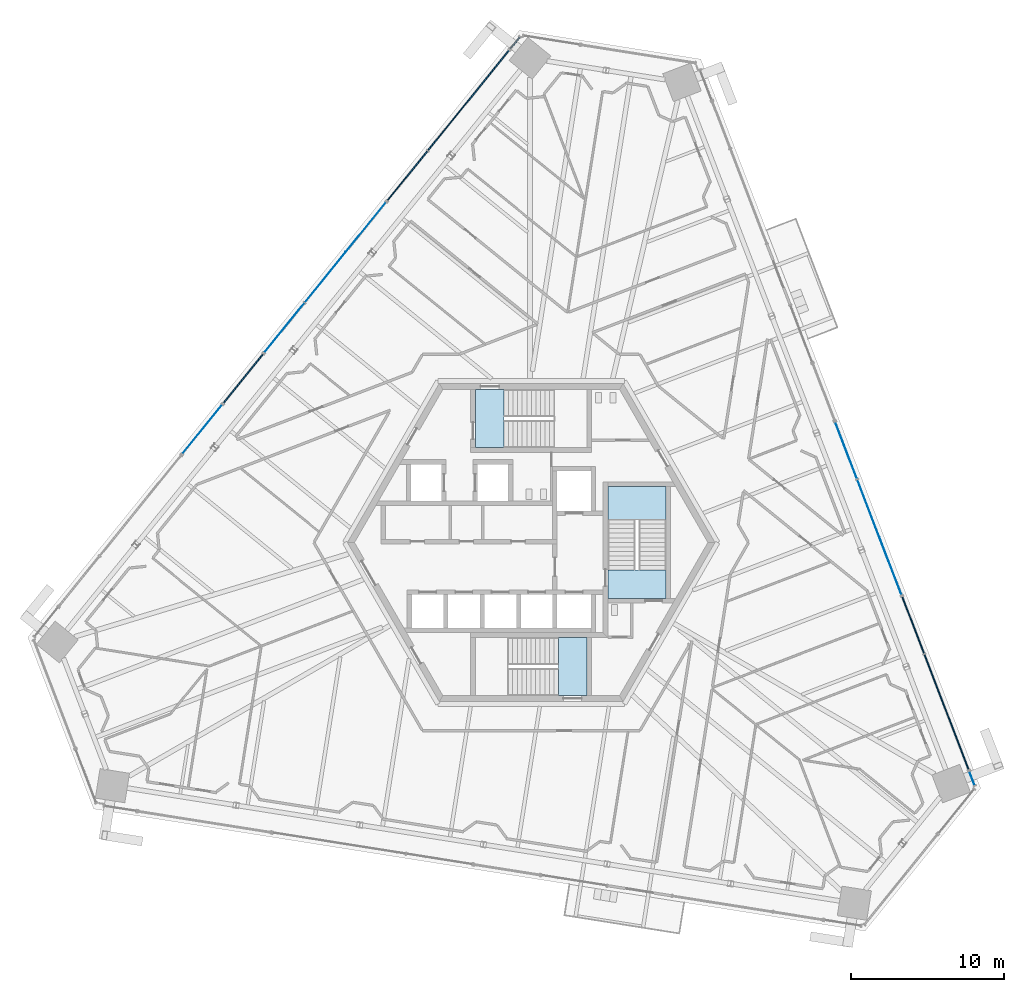
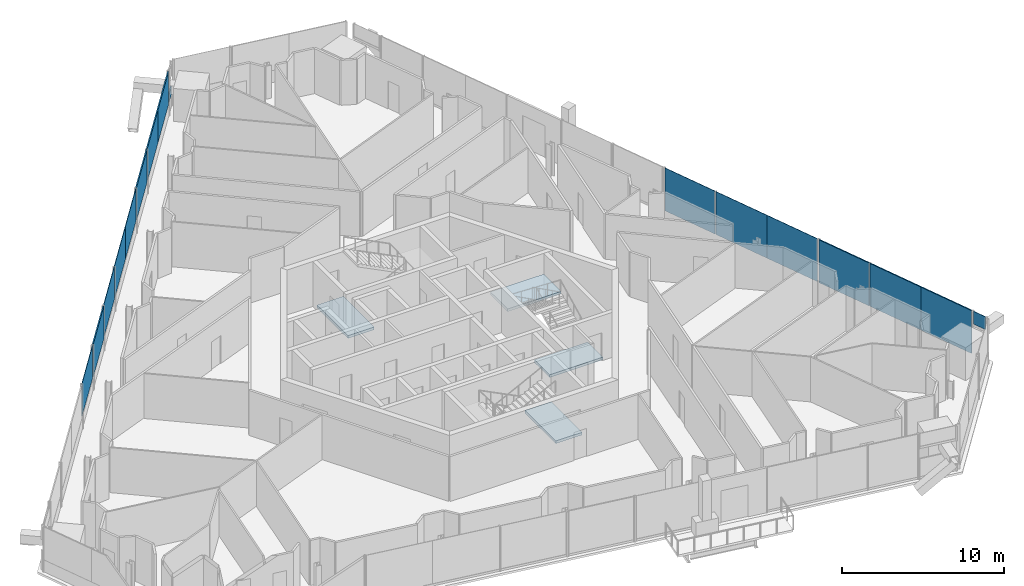
# One storey, part 11 of 23: 16 plates, 4 slabs, 11 elements without a shape of their own.
"""IFC4 building model written with IfcOpenShell, lengths in metres."""

from ifc_helpers import new_model, si_unit, direction, frame, origin, origin_2d, place, context, subcontext, project, spatial, polyline, rectangle, outline, extrude, source, transform, mapped, material, layer, layer_set, type_object, element, aggregate, save


model = new_model("IFC4")

# Units and contexts
model_context = context("Model", 3, precision=1e-05, world=origin(), true_north=direction((0.0, 1.0)))
body_context = subcontext(model_context, "Body", "Model", "MODEL_VIEW")
ifc_project = project(units=[si_unit("LENGTHUNIT", "METRE"), si_unit("AREAUNIT", "SQUARE_METRE"), si_unit("VOLUMEUNIT", "CUBIC_METRE"), si_unit("PLANEANGLEUNIT", "RADIAN"), si_unit("MASSUNIT", "GRAM", prefix="KILO")], contexts=[model_context])

# Site, building, storey
site_placement = place(None, origin())
site = spatial("IfcSite", under=ifc_project, at=site_placement, CompositionType="ELEMENT")
building_placement = place(site_placement, origin())
building = spatial("IfcBuilding", under=site, at=building_placement, Name="Triune Harvest Tower", CompositionType="ELEMENT")
storey_placement = place(building_placement, frame((0.0, 0.0, 171.300048828125)))
storey = spatial("IfcBuildingStorey", under=building, at=storey_placement, Name="L44", CompositionType="ELEMENT", Elevation=171.300048828125)

# Curtain wall, plates
ifc_material_1 = material(Name="Aluminium bronze anodised", Category="aluminium")
curtain_wall_type_1 = type_object("IfcCurtainWallType", Name="CW-1 Tower stick curtain wall", PredefinedType="NOTDEFINED", material=ifc_material_1)
curtain_wall_1_placement = place(storey_placement, origin())
curtain_wall_1 = element("IfcCurtainWall", 1, at=curtain_wall_1_placement, inside=storey, type_object=curtain_wall_type_1, Name="CW-1 B4-F3 L44 run 1201")
ifc_material_2 = material(Name="Glass", Category="glass")
ifc_layer_1 = layer(ifc_material_2, 0.031982421875)
ifc_layer_set_1 = layer_set([ifc_layer_1], Name="Glass")
plate_type_1 = type_object("IfcPlateType", Name="GL-1 panel 32", PredefinedType="CURTAIN_PANEL", material=ifc_layer_set_1)
plate_1_placement = place(storey_placement, frame((-10.798828125, 20.591064453125, 0.89990234375), z_axis=(0.0, 0.0, 1.0), x_axis=(-0.629323938413, -0.777143088845, 0.0)))
plate_1 = element("IfcPlate", 2, at=plate_1_placement, type_object=plate_type_1, Name="CW-1 panel B4-F3 1201.1", PredefinedType="CURTAIN_PANEL", context=body_context, shape_type="SweptSolid", body=[
    extrude(rectangle(XDim=4.18115234375, YDim=0.031982421875, at=origin_2d()), origin(), (0.0, 0.0, 1.0), 2.47509765625),
])
plate_2_placement = place(storey_placement, frame((-13.44189453125, 17.3271484375, 0.89990234375), z_axis=(0.0, 0.0, 1.0), x_axis=(-0.629323938413, -0.777143088845, 0.0)))
plate_2 = element("IfcPlate", 3, at=plate_2_placement, type_object=plate_type_1, Name="CW-1 panel B4-F3 1201.2", PredefinedType="CURTAIN_PANEL", context=body_context, shape_type="SweptSolid", body=[
    extrude(rectangle(XDim=4.218505859375, YDim=0.031982421875, at=origin_2d()), origin(), (0.0, 0.0, 1.0), 2.47509765625),
])
plate_3_placement = place(storey_placement, frame((-16.120361328125, 14.01953125, 0.89990234375), z_axis=(0.0, 0.0, 1.0), x_axis=(-0.629323938413, -0.777143088845, 0.0)))
plate_3 = element("IfcPlate", 4, at=plate_3_placement, type_object=plate_type_1, Name="CW-1 panel B4-F3 1201.3", PredefinedType="CURTAIN_PANEL", context=body_context, shape_type="SweptSolid", body=[
    extrude(rectangle(XDim=4.1435546875, YDim=0.031982421875, at=origin_2d()), origin(), (0.0, 0.0, 1.0), 2.47509765625),
])
aggregate(curtain_wall_1, [plate_1, plate_2, plate_3])

# Curtain wall, plate
curtain_wall_2_placement = place(storey_placement, origin())
curtain_wall_2 = element("IfcCurtainWall", 5, at=curtain_wall_2_placement, inside=storey, type_object=curtain_wall_type_1, Name="CW-1 B4-F3 L44 run 3201")
plate_4_placement = place(storey_placement, frame((-21.4892578125, 7.3896484375, 0.89990234375), z_axis=(0.0, 0.0, 1.0), x_axis=(-0.629328668459, -0.77713925847, 0.0)))
plate_4 = element("IfcPlate", 6, at=plate_4_placement, type_object=plate_type_1, Name="CW-1 panel B4-F3 3201.1", PredefinedType="CURTAIN_PANEL", context=body_context, shape_type="SweptSolid", body=[
    extrude(rectangle(XDim=4.106201171875, YDim=0.031982421875, at=origin_2d()), origin(), (0.0, 0.0, 1.0), 2.47509765625),
])
aggregate(curtain_wall_2, [plate_4])

ifc_material_3 = material(Name="Aluminium bronze anodised", Category="aluminium")
curtain_wall_type_2 = type_object("IfcCurtainWallType", Name="CW-6 Balcony window wall", PredefinedType="NOTDEFINED", material=ifc_material_3)
curtain_wall_3_placement = place(storey_placement, origin())
curtain_wall_3 = element("IfcCurtainWall", 7, at=curtain_wall_3_placement, inside=storey, type_object=curtain_wall_type_2, Name="CW-6 B4-F1 L44 run 101")
ifc_material_4 = material(Name="Glass", Category="glass")
ifc_layer_2 = layer(ifc_material_4, 0.030029296875)
ifc_layer_set_2 = layer_set([ifc_layer_2], Name="Glass")
plate_type_2 = type_object("IfcPlateType", Name="GL-6 panel 30", PredefinedType="CURTAIN_PANEL", material=ifc_layer_set_2)
plate_5_placement = place(storey_placement, frame((28.780029296875, -15.397216796875, 2.40966796875), z_axis=(0.0, 0.0, 1.0), x_axis=(-0.358306943376, 0.933603842285, 0.0)))
plate_5 = element("IfcPlate", 8, at=plate_5_placement, type_object=plate_type_2, Name="CW-6 panel B4-F1 101.1", PredefinedType="CURTAIN_PANEL", context=body_context, shape_type="SweptSolid", body=[
    extrude(rectangle(XDim=0.94677734375, YDim=0.030029296875, at=origin_2d()), origin(), (0.0, 0.0, 1.0), 0.965087890625),
])
aggregate(curtain_wall_3, [plate_5])

# Curtain wall, plates
curtain_wall_4_placement = place(storey_placement, origin())
curtain_wall_4 = element("IfcCurtainWall", 9, at=curtain_wall_4_placement, inside=storey, type_object=curtain_wall_type_2, Name="CW-6 B4-F1 L44 run 1201")
plate_6_placement = place(storey_placement, frame((23.461669921875, -1.542236328125, 0.14990234375), z_axis=(0.0, 0.0, 1.0), x_axis=(-0.358370783259, 0.933579338732, 0.0)))
plate_6 = element("IfcPlate", 10, at=plate_6_placement, type_object=plate_type_2, Name="CW-6 panel B4-F1 1201.1", PredefinedType="CURTAIN_PANEL", context=body_context, shape_type="SweptSolid", body=[
    extrude(rectangle(XDim=3.997802734375, YDim=0.030029296875, at=origin_2d()), origin(), (0.0, 0.0, 1.0), 3.22509765625),
])
plate_7_placement = place(storey_placement, frame((22.022216796875, 2.20751953125, 0.14990234375), z_axis=(0.0, 0.0, 1.0), x_axis=(-0.358370783259, 0.933579338732, 0.0)))
plate_7 = element("IfcPlate", 11, at=plate_7_placement, type_object=plate_type_2, Name="CW-6 panel B4-F1 1201.2", PredefinedType="CURTAIN_PANEL", context=body_context, shape_type="SweptSolid", body=[
    extrude(rectangle(XDim=4.035400390625, YDim=0.030029296875, at=origin_2d()), origin(), (0.0, 0.0, 1.0), 3.22509765625),
])
plate_8_placement = place(storey_placement, frame((20.562744140625, 6.009765625, 0.14990234375), z_axis=(0.0, 0.0, 1.0), x_axis=(-0.358370783259, 0.933579338732, 0.0)))
plate_8 = element("IfcPlate", 12, at=plate_8_placement, type_object=plate_type_2, Name="CW-6 panel B4-F1 1201.3", PredefinedType="CURTAIN_PANEL", context=body_context, shape_type="SweptSolid", body=[
    extrude(rectangle(XDim=3.960205078125, YDim=0.030029296875, at=origin_2d()), origin(), (0.0, 0.0, 1.0), 3.22509765625),
])
aggregate(curtain_wall_4, [plate_6, plate_7, plate_8])

ifc_material_5 = material(Name="Aluminium bronze anodised", Category="aluminium")
curtain_wall_type_3 = type_object("IfcCurtainWallType", Name="CW-10 Balcony window wall with insulated spandrel infill", PredefinedType="NOTDEFINED", material=ifc_material_5)
curtain_wall_5_placement = place(storey_placement, origin())
curtain_wall_5 = element("IfcCurtainWall", 13, at=curtain_wall_5_placement, inside=storey, type_object=curtain_wall_type_3, Name="CW-10 B4-F1 L44 run 201")
ifc_material_6 = material(Name="Insulated spandrel panel, bronze aluminium pan", Category="aluminium")
ifc_layer_3 = layer(ifc_material_6, 0.080078125)
ifc_layer_set_3 = layer_set([ifc_layer_3], Name="Insulated spandrel panel, bronze aluminium pan")
plate_type_3 = type_object("IfcPlateType", Name="SP-1 insulated spandrel panel 80", PredefinedType="CURTAIN_PANEL", material=ifc_layer_set_3)
plate_9_placement = place(storey_placement, frame((27.84033203125, -12.948974609375, 0.14990234375), z_axis=(0.0, 0.0, 1.0), x_axis=(-0.358370783259, 0.933579338732, 0.0)))
plate_9 = element("IfcPlate", 14, at=plate_9_placement, type_object=plate_type_3, Name="CW-10 panel B4-F1 201.1", PredefinedType="CURTAIN_PANEL", context=body_context, shape_type="SweptSolid", body=[
    extrude(rectangle(XDim=3.997802734375, YDim=0.080078125, at=origin_2d()), origin(), (0.0, 0.0, 1.0), 3.22509765625),
])
plate_10_placement = place(storey_placement, frame((26.40087890625, -9.19921875, 0.14990234375), z_axis=(0.0, 0.0, 1.0), x_axis=(-0.358370783259, 0.933579338732, 0.0)))
plate_10 = element("IfcPlate", 15, at=plate_10_placement, type_object=plate_type_3, Name="CW-10 panel B4-F1 201.2", PredefinedType="CURTAIN_PANEL", context=body_context, shape_type="SweptSolid", body=[
    extrude(rectangle(XDim=4.035400390625, YDim=0.080078125, at=origin_2d()), origin(), (0.0, 0.0, 1.0), 3.22509765625),
])
plate_11_placement = place(storey_placement, frame((24.94140625, -5.39697265625, 0.14990234375), z_axis=(0.0, 0.0, 1.0), x_axis=(-0.358370783259, 0.933579338732, 0.0)))
plate_11 = element("IfcPlate", 16, at=plate_11_placement, type_object=plate_type_3, Name="CW-10 panel B4-F1 201.3", PredefinedType="CURTAIN_PANEL", context=body_context, shape_type="SweptSolid", body=[
    extrude(rectangle(XDim=3.960205078125, YDim=0.080078125, at=origin_2d()), origin(), (0.0, 0.0, 1.0), 3.22509765625),
])
aggregate(curtain_wall_5, [plate_9, plate_10, plate_11])

# Curtain wall, plate
ifc_material_7 = material(Name="Aluminium bronze anodised", Category="aluminium")
curtain_wall_type_4 = type_object("IfcCurtainWallType", Name="CW-7 Tower stick curtain wall with insulated spandrel infill", PredefinedType="NOTDEFINED", material=ifc_material_7)
curtain_wall_6_placement = place(storey_placement, origin())
curtain_wall_6 = element("IfcCurtainWall", 17, at=curtain_wall_6_placement, inside=storey, type_object=curtain_wall_type_4, Name="CW-7 B4-F3 L44 run 1")
plate_12_placement = place(storey_placement, frame((-1.0556640625, 32.622802734375, 0.89990234375), z_axis=(0.0, 0.0, 1.0), x_axis=(-0.629342465334, -0.777128085535, 0.0)))
plate_12 = element("IfcPlate", 18, at=plate_12_placement, type_object=plate_type_3, Name="CW-7 panel B4-F3 1.1", PredefinedType="CURTAIN_PANEL", context=body_context, shape_type="SweptSolid", body=[
    extrude(rectangle(XDim=0.94677734375, YDim=0.080078125, at=origin_2d()), origin(), (0.0, 0.0, 1.0), 0.590087890625),
])
aggregate(curtain_wall_6, [plate_12])

curtain_wall_7_placement = place(storey_placement, origin())
curtain_wall_7 = element("IfcCurtainWall", 19, at=curtain_wall_7_placement, inside=storey, type_object=curtain_wall_type_4, Name="CW-7 B4-F3 L44 run 2201")
plate_13_placement = place(storey_placement, frame((-18.810791015625, 10.697265625, 0.89990234375), z_axis=(0.0, 0.0, 1.0), x_axis=(-0.629314478116, -0.777150749619, 0.0)))
plate_13 = element("IfcPlate", 20, at=plate_13_placement, type_object=plate_type_3, Name="CW-7 panel B4-F3 2201.1", PredefinedType="CURTAIN_PANEL", context=body_context, shape_type="SweptSolid", body=[
    extrude(rectangle(XDim=4.10595703125, YDim=0.080078125, at=origin_2d()), origin(), (0.0, 0.0, 1.0), 2.47509765625),
])
aggregate(curtain_wall_7, [plate_13])

# Stair, slab
ifc_material_8 = material(Name="Concrete 40 MPa", Category="concrete")
stair_type = type_object("IfcStairType", Name="Exit stair 1800 half turn", PredefinedType="HALF_TURN_STAIR", material=ifc_material_8)
stair_1_placement = place(storey_placement, origin())
stair_1 = element("IfcStair", 21, at=stair_1_placement, inside=storey, type_object=stair_type, Name="Exit stair north", PredefinedType="HALF_TURN_STAIR")
ifc_material_9 = material(Name="Concrete 40 MPa", Category="concrete")
ifc_layer_4 = layer(ifc_material_9, 0.199951171875)
ifc_layer_set_4 = layer_set([ifc_layer_4], Name="Concrete 40 MPa")
slab_type = type_object("IfcSlabType", Name="Stair landing 200", PredefinedType="LANDING", material=ifc_layer_set_4)
shared_shape_1 = source(origin(), body_context, "Body", "SweptSolid", [
    extrude(outline(polyline([(-3.64990234375, 6.18994140625), (-1.780029296875, 6.18994140625), (-1.780029296875, 9.989990234375), (-3.64990234375, 9.989990234375), (-3.64990234375, 6.18994140625)])), origin(), (0.0, 0.0, 1.0), 0.199951171875),
])
slab_1_placement = place(storey_placement, frame((0.0, 0.0, -0.199951171875)))
slab_1 = element("IfcSlab", 22, at=slab_1_placement, type_object=slab_type, Name="ST-1 landing 1", PredefinedType="LANDING", context=body_context, shape_type="MappedRepresentation", body=[
    mapped(shared_shape_1, transform((0.0, 0.0, 0.0), scale=1.0)),
])
aggregate(stair_1, [slab_1])

stair_2_placement = place(storey_placement, origin())
stair_2 = element("IfcStair", 23, at=stair_2_placement, inside=storey, type_object=stair_type, Name="Exit stair south", PredefinedType="HALF_TURN_STAIR")
shared_shape_2 = source(origin(), body_context, "Body", "SweptSolid", [
    extrude(outline(polyline([(3.64990234375, -6.18994140625), (1.780029296875, -6.18994140625), (1.780029296875, -9.989990234375), (3.64990234375, -9.989990234375), (3.64990234375, -6.18994140625)])), origin(), (0.0, 0.0, 1.0), 0.199951171875),
])
slab_2_placement = place(storey_placement, frame((0.0, 0.0, -0.199951171875)))
slab_2 = element("IfcSlab", 24, at=slab_2_placement, type_object=slab_type, Name="ST-2 landing 1", PredefinedType="LANDING", context=body_context, shape_type="MappedRepresentation", body=[
    mapped(shared_shape_2, transform((0.0, 0.0, 0.0), scale=1.0)),
])
aggregate(stair_2, [slab_2])

# Stair, slabs
stair_3_placement = place(storey_placement, origin())
stair_3 = element("IfcStair", 25, at=stair_3_placement, inside=storey, type_object=stair_type, Name="Exit stair east", PredefinedType="HALF_TURN_STAIR")
shared_shape_3 = source(origin(), body_context, "Body", "SweptSolid", [
    extrude(outline(polyline([(8.800048828125, 1.510009765625), (8.800048828125, 3.64990234375), (5.0, 3.64990234375), (5.0, 1.510009765625), (8.800048828125, 1.510009765625)])), origin(), (0.0, 0.0, 1.0), 0.199951171875),
])
slab_3_placement = place(storey_placement, frame((0.0, 0.0, 1.612548828125)))
slab_3 = element("IfcSlab", 26, at=slab_3_placement, type_object=slab_type, Name="ST-3 landing 2", PredefinedType="LANDING", context=body_context, shape_type="MappedRepresentation", body=[
    mapped(shared_shape_3, transform((0.0, 0.0, 0.0), scale=1.0)),
])
shared_shape_4 = source(origin(), body_context, "Body", "SweptSolid", [
    extrude(outline(polyline([(8.800048828125, -3.64990234375), (8.800048828125, -1.780029296875), (5.0, -1.780029296875), (5.0, -3.64990234375), (8.800048828125, -3.64990234375)])), origin(), (0.0, 0.0, 1.0), 0.199951171875),
])
slab_4_placement = place(storey_placement, frame((0.0, 0.0, -0.199951171875)))
slab_4 = element("IfcSlab", 27, at=slab_4_placement, type_object=slab_type, Name="ST-3 landing 1", PredefinedType="LANDING", context=body_context, shape_type="MappedRepresentation", body=[
    mapped(shared_shape_4, transform((0.0, 0.0, 0.0), scale=1.0)),
])
aggregate(stair_3, [slab_4, slab_3])

# Curtain wall, plates
curtain_wall_8_placement = place(storey_placement, origin())
curtain_wall_8 = element("IfcCurtainWall", 28, at=curtain_wall_8_placement, inside=storey, type_object=curtain_wall_type_4, Name="CW-7 B4-F3 L44 run 201")
shared_shape_5 = source(origin(), body_context, "Body", "SweptSolid", [
    extrude(rectangle(XDim=4.18115234375, YDim=0.080078125, at=origin_2d()), origin(), (0.0, 0.0, 1.0), 2.47509765625),
])
plate_14_placement = place(storey_placement, frame((-2.763671875, 30.513671875, 0.89990234375), z_axis=(0.0, 0.0, 1.0), x_axis=(-0.629319208303, -0.777146919225, 0.0)))
plate_14 = element("IfcPlate", 29, at=plate_14_placement, type_object=plate_type_3, Name="CW-7 panel B4-F3 201.1", PredefinedType="CURTAIN_PANEL", context=body_context, shape_type="MappedRepresentation", body=[
    mapped(shared_shape_5, transform((0.0, 0.0, 0.0), scale=1.0)),
])
shared_shape_6 = source(origin(), body_context, "Body", "SweptSolid", [
    extrude(rectangle(XDim=4.218505859375, YDim=0.080078125, at=origin_2d()), origin(), (0.0, 0.0, 1.0), 2.47509765625),
])
plate_15_placement = place(storey_placement, frame((-5.40673828125, 27.249755859375, 0.89990234375), z_axis=(0.0, 0.0, 1.0), x_axis=(-0.629319208303, -0.777146919225, 0.0)))
plate_15 = element("IfcPlate", 30, at=plate_15_placement, type_object=plate_type_3, Name="CW-7 panel B4-F3 201.2", PredefinedType="CURTAIN_PANEL", context=body_context, shape_type="MappedRepresentation", body=[
    mapped(shared_shape_6, transform((0.0, 0.0, 0.0), scale=1.0)),
])
shared_shape_7 = source(origin(), body_context, "Body", "SweptSolid", [
    extrude(rectangle(XDim=4.1435546875, YDim=0.080078125, at=origin_2d()), origin(), (0.0, 0.0, 1.0), 2.47509765625),
])
plate_16_placement = place(storey_placement, frame((-8.085205078125, 23.9423828125, 0.89990234375), z_axis=(0.0, 0.0, 1.0), x_axis=(-0.629319208303, -0.777146919225, 0.0)))
plate_16 = element("IfcPlate", 31, at=plate_16_placement, type_object=plate_type_3, Name="CW-7 panel B4-F3 201.3", PredefinedType="CURTAIN_PANEL", context=body_context, shape_type="MappedRepresentation", body=[
    mapped(shared_shape_7, transform((0.0, 0.0, 0.0), scale=1.0)),
])
aggregate(curtain_wall_8, [plate_14, plate_15, plate_16])

save(model, "model.ifc")
